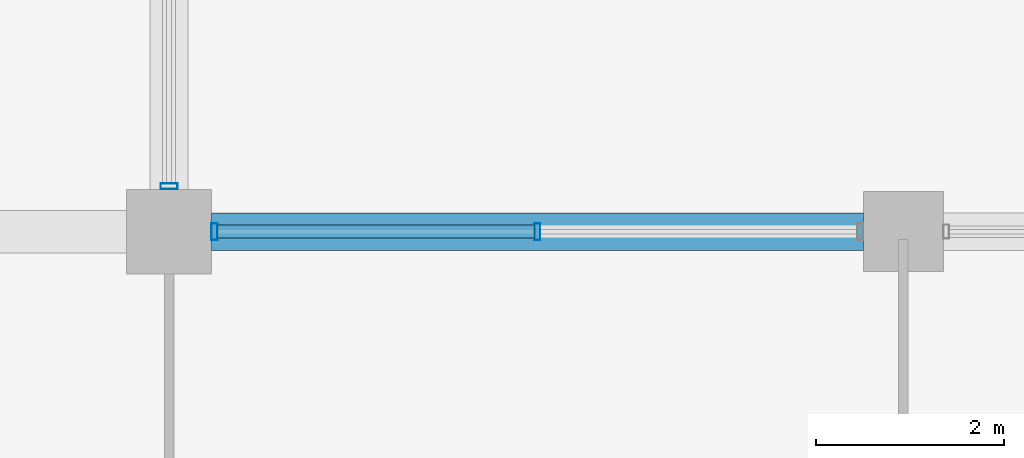
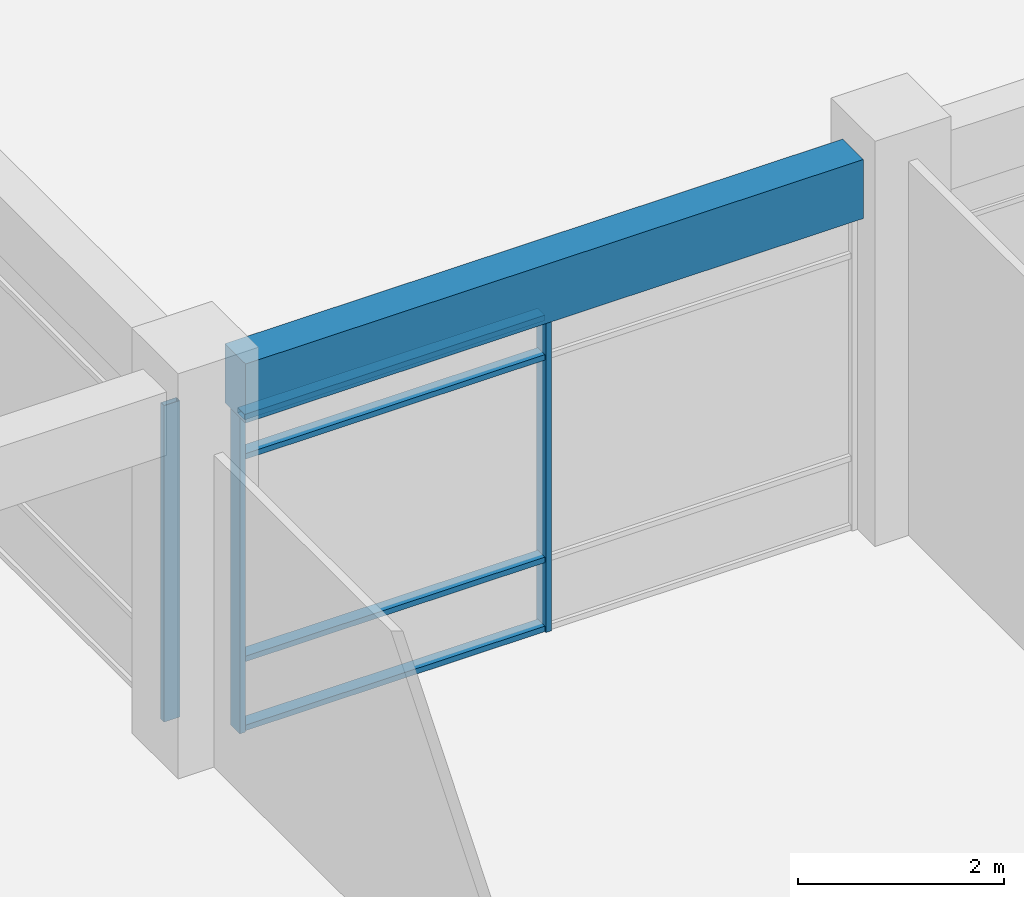
# One storey, part 5 of 74: 7 members, 1 beam, 2 elements without a shape of their own.
"""IFC4 building model written with IfcOpenShell, lengths in metres."""

from ifc_helpers import new_model, si_unit, direction, frame, origin, origin_2d, place, context, subcontext, project, spatial, rectangle, hollow_rectangle, extrude, material, material_profile, profile_set, type_object, element, aggregate, save


model = new_model("IFC4")

# Units and contexts
model_context = context("Model", 3, precision=1e-05, world=origin(), true_north=direction((0.0, 1.0)))
body_context = subcontext(model_context, "Body", "Model", "MODEL_VIEW")
ifc_project = project(units=[si_unit("LENGTHUNIT", "METRE"), si_unit("AREAUNIT", "SQUARE_METRE"), si_unit("VOLUMEUNIT", "CUBIC_METRE"), si_unit("PLANEANGLEUNIT", "RADIAN"), si_unit("MASSUNIT", "GRAM", prefix="KILO"), si_unit("THERMODYNAMICTEMPERATUREUNIT", "KELVIN"), si_unit("POWERUNIT", "WATT")], contexts=[model_context])

# Site, building, storey
site_placement = place(None, origin())
site = spatial("IfcSite", under=ifc_project, at=site_placement, CompositionType="ELEMENT")
building_placement = place(site_placement, origin())
building = spatial("IfcBuilding", under=site, at=building_placement, Name="Srebrne Nadtorze General Hospital", CompositionType="ELEMENT")
storey_placement = place(building_placement, origin())
storey = spatial("IfcBuildingStorey", under=building, at=storey_placement, Name="L00", CompositionType="ELEMENT", Elevation=0.0)

# Curtain wall, members
ifc_material_1 = material(Name="Anodised Aluminium", Category="aluminium")
curtain_wall_type_1 = type_object("IfcCurtainWallType", Name="Unitised curtain wall 6925x3750", PredefinedType="NOTDEFINED", material=ifc_material_1)
curtain_wall_1_placement = place(storey_placement, origin())
curtain_wall_1 = element("IfcCurtainWall", 1, at=curtain_wall_1_placement, inside=storey, type_object=curtain_wall_type_1, Name="Curtain wall CW-005", PredefinedType="NOTDEFINED")
ifc_material_2 = material(Name="Anodised Aluminium", Category="aluminium")
ifc_material_profile_1 = material_profile(ifc_material_2, hollow_rectangle(XDim=0.06494140625, YDim=0.179931640625, WallThickness=0.00390625, at=origin_2d()), Name="AL-MUL-65x180")
ifc_profile_set_1 = profile_set([ifc_material_profile_1], Name="Anodised Aluminium")
member_type_1 = type_object("IfcMemberType", Name="Curtain mullion 65x180", PredefinedType="MULLION", material=ifc_profile_set_1)
member_1_placement = place(storey_placement, frame((55.08251953125, 25.199951171875, 0.0), z_axis=(0.0, 0.0, 1.0), x_axis=(1.0, 0.0, 0.0)))
member_1 = element("IfcMember", 2, at=member_1_placement, type_object=member_type_1, Name="CW-005 mullion 1", PredefinedType="MULLION", context=body_context, shape_type="SweptSolid", body=[
    extrude(hollow_rectangle(XDim=0.06494140625, YDim=0.179931640625, WallThickness=0.00390625, at=origin_2d()), origin(), (0.0, 0.0, 1.0), 3.75),
])
member_2_placement = place(storey_placement, frame((58.512451171875, 25.199951171875, 0.0), z_axis=(0.0, 0.0, 1.0), x_axis=(1.0, 0.0, 0.0)))
member_2 = element("IfcMember", 3, at=member_2_placement, type_object=member_type_1, Name="CW-005 mullion 2", PredefinedType="MULLION", context=body_context, shape_type="SweptSolid", body=[
    extrude(hollow_rectangle(XDim=0.06494140625, YDim=0.179931640625, WallThickness=0.00390625, at=origin_2d()), origin(), (0.0, 0.0, 1.0), 3.75),
])

# Curtain wall, member
ifc_material_3 = material(Name="Anodised Aluminium", Category="aluminium")
curtain_wall_type_2 = type_object("IfcCurtainWallType", Name="Unitised curtain wall 7500x3750", PredefinedType="NOTDEFINED", material=ifc_material_3)
curtain_wall_2_placement = place(storey_placement, origin())
curtain_wall_2 = element("IfcCurtainWall", 4, at=curtain_wall_2_placement, inside=storey, type_object=curtain_wall_type_2, Name="Curtain wall CW-019", PredefinedType="NOTDEFINED")
member_3_placement = place(storey_placement, frame((54.60009765625, 25.6826171875, 0.0), z_axis=(0.0, 0.0, 1.0), x_axis=(0.0, 1.0, 0.0)))
member_3 = element("IfcMember", 5, at=member_3_placement, type_object=member_type_1, Name="CW-019 mullion 1", PredefinedType="MULLION", context=body_context, shape_type="SweptSolid", body=[
    extrude(hollow_rectangle(XDim=0.06494140625, YDim=0.179931640625, WallThickness=0.00390625, at=origin_2d()), origin(), (0.0, 0.0, 1.0), 3.75),
])
aggregate(curtain_wall_2, [member_3])

# Member
ifc_material_4 = material(Name="Anodised Aluminium", Category="aluminium")
ifc_material_profile_2 = material_profile(ifc_material_4, hollow_rectangle(XDim=0.06494140625, YDim=0.139892578125, WallThickness=0.00390625, at=origin_2d()), Name="AL-TRN-65x140")
ifc_profile_set_2 = profile_set([ifc_material_profile_2], Name="Anodised Aluminium")
member_type_2 = type_object("IfcMemberType", Name="Curtain transom 65x140", PredefinedType="USERDEFINED", material=ifc_profile_set_2)
member_4_placement = place(storey_placement, frame((55.114990234375, 25.199951171875, 0.032470703125), z_axis=(1.0, 0.0, 0.0), x_axis=(0.0, 0.0, 1.0)))
member_4 = element("IfcMember", 6, at=member_4_placement, type_object=member_type_2, Name="CW-005 transom 1.1", ObjectType="TRANSOM", PredefinedType="USERDEFINED", context=body_context, shape_type="SweptSolid", body=[
    extrude(hollow_rectangle(XDim=0.06494140625, YDim=0.139892578125, WallThickness=0.00390625, at=origin_2d()), origin(), (0.0, 0.0, 1.0), 3.364990234375),
])

member_5_placement = place(storey_placement, frame((55.114990234375, 25.199951171875, 0.85009765625), z_axis=(1.0, 0.0, 0.0), x_axis=(0.0, 0.0, 1.0)))
member_5 = element("IfcMember", 7, at=member_5_placement, type_object=member_type_2, Name="CW-005 transom 1.2", ObjectType="TRANSOM", PredefinedType="USERDEFINED", context=body_context, shape_type="SweptSolid", body=[
    extrude(hollow_rectangle(XDim=0.06494140625, YDim=0.139892578125, WallThickness=0.00390625, at=origin_2d()), origin(), (0.0, 0.0, 1.0), 3.364990234375),
])

member_6_placement = place(storey_placement, frame((55.114990234375, 25.199951171875, 3.25), z_axis=(1.0, 0.0, 0.0), x_axis=(0.0, 0.0, 1.0)))
member_6 = element("IfcMember", 8, at=member_6_placement, type_object=member_type_2, Name="CW-005 transom 1.3", ObjectType="TRANSOM", PredefinedType="USERDEFINED", context=body_context, shape_type="SweptSolid", body=[
    extrude(hollow_rectangle(XDim=0.06494140625, YDim=0.139892578125, WallThickness=0.00390625, at=origin_2d()), origin(), (0.0, 0.0, 1.0), 3.364990234375),
])

member_7_placement = place(storey_placement, frame((55.114990234375, 25.199951171875, 3.717529296875), z_axis=(1.0, 0.0, 0.0), x_axis=(0.0, 0.0, 1.0)))
member_7 = element("IfcMember", 9, at=member_7_placement, type_object=member_type_2, Name="CW-005 transom 1.4", ObjectType="TRANSOM", PredefinedType="USERDEFINED", context=body_context, shape_type="SweptSolid", body=[
    extrude(hollow_rectangle(XDim=0.06494140625, YDim=0.139892578125, WallThickness=0.00390625, at=origin_2d()), origin(), (0.0, 0.0, 1.0), 3.364990234375),
])

aggregate(curtain_wall_1, [member_1, member_2, member_4, member_5, member_6, member_7])

# Beam
ifc_material_5 = material(Name="Concrete C40/50", Category="concrete")
ifc_material_profile_3 = material_profile(ifc_material_5, rectangle(XDim=0.39990234375, YDim=0.699951171875, at=origin_2d()), Name="RC-BM-400x700")
ifc_profile_set_3 = profile_set([ifc_material_profile_3], Name="Concrete C40/50")
beam_type = type_object("IfcBeamType", Name="Edge beam RC 400x700", PredefinedType="BEAM", material=ifc_profile_set_3)
beam_placement = place(storey_placement, frame((55.050048828125, 25.199951171875, 4.10009765625), z_axis=(1.0, 0.0, 0.0), x_axis=(0.0, 1.0, 0.0)))
element("IfcBeam", 10, at=beam_placement, inside=storey, type_object=beam_type, Name="Beam BM-L00-X-0203", PredefinedType="BEAM", context=body_context, shape_type="SweptSolid", body=[
    extrude(rectangle(XDim=0.39990234375, YDim=0.699951171875, at=origin_2d()), origin(), (0.0, 0.0, 1.0), 6.925048828125),
])

save(model, "model.ifc")
